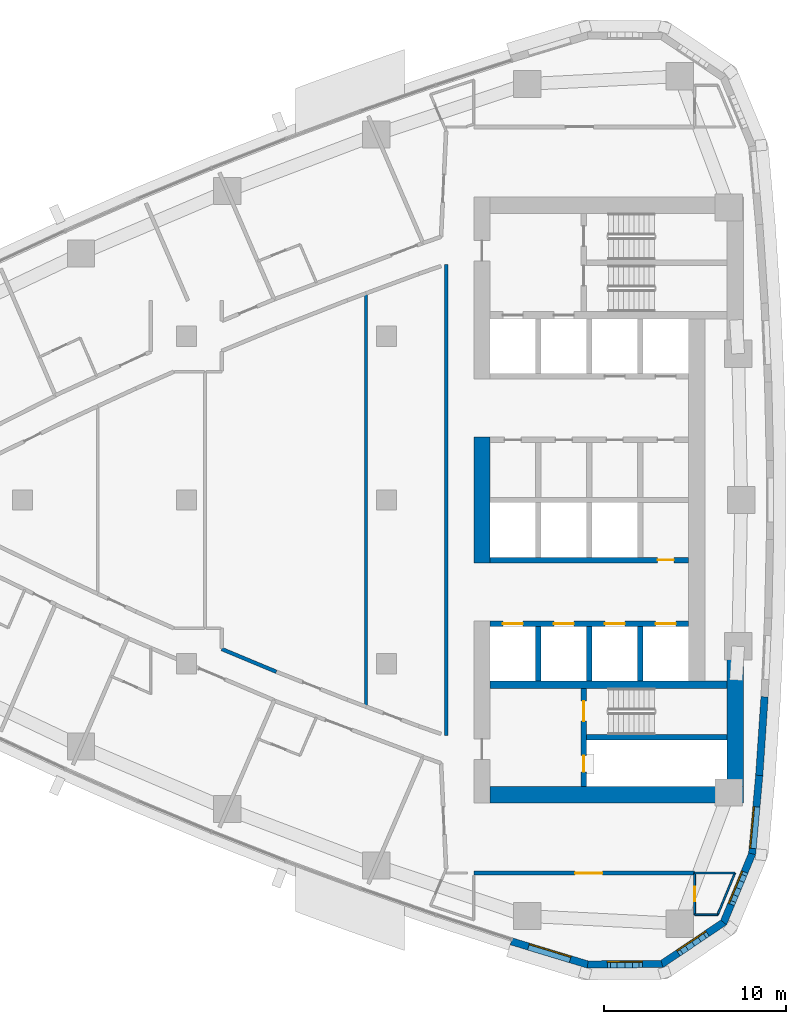
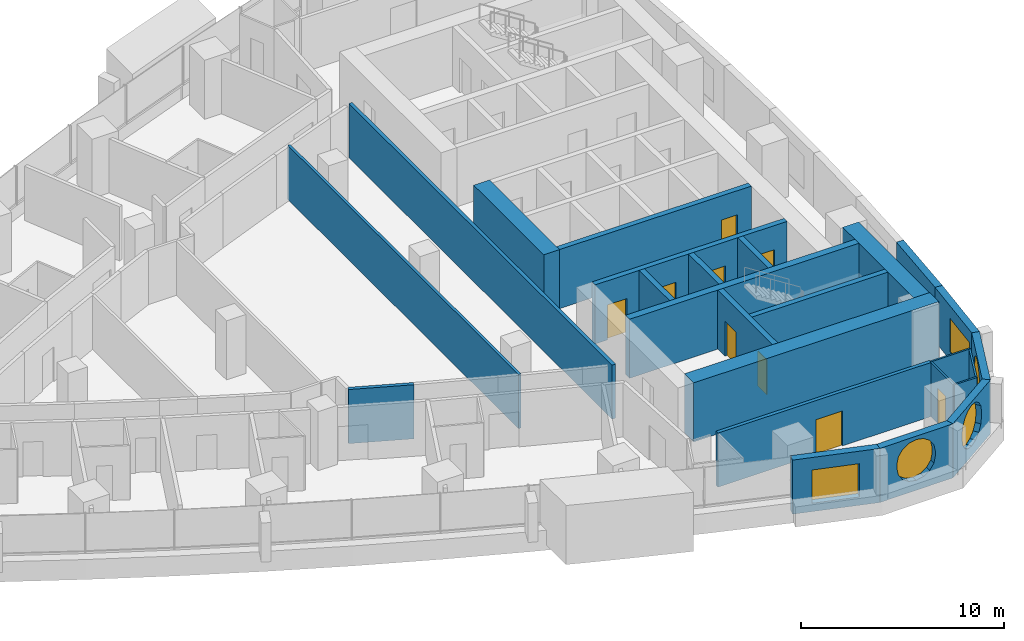
# One storey, part 10 of 17: 25 walls, 9 doors, 5 windows, 14 openings.
"""IFC4 building model written with IfcOpenShell, lengths in metres."""

from ifc_helpers import new_model, si_unit, direction, frame, frame_2d, origin, place, context, subcontext, project, spatial, polyline, rectangle, outline, extrude, material, layer, layer_set, type_object, element, fill, save


model = new_model("IFC4")

# Units and contexts
model_context = context("Model", 3, precision=1e-05, world=origin(), true_north=direction((0.0, 1.0)))
body_context = subcontext(model_context, "Body", "Model", "MODEL_VIEW")
ifc_project = project(units=[si_unit("LENGTHUNIT", "METRE"), si_unit("AREAUNIT", "SQUARE_METRE"), si_unit("VOLUMEUNIT", "CUBIC_METRE"), si_unit("PLANEANGLEUNIT", "RADIAN"), si_unit("MASSUNIT", "GRAM", prefix="KILO")], contexts=[model_context])

# Site, building, storey
site_placement = place(None, origin())
site = spatial("IfcSite", under=ifc_project, at=site_placement, CompositionType="ELEMENT")
building_placement = place(site_placement, origin())
building = spatial("IfcBuilding", under=site, at=building_placement, Name="Ostrand Prow Hotel Tower", CompositionType="ELEMENT")
storey_placement = place(building_placement, frame((0.0, 0.0, 155.050048828125)))
storey = spatial("IfcBuildingStorey", under=building, at=storey_placement, Name="L38", CompositionType="ELEMENT", Elevation=155.050048828125)

# Wall, opening, door
ifc_material_1 = material(Name="Concrete C70/85", Category="concrete")
ifc_layer_1 = layer(ifc_material_1, 0.300048828125)
ifc_layer_set_1 = layer_set([ifc_layer_1], Name="Concrete C70/85")
wall_type_1 = type_object("IfcWallType", Name="Core wall 300 C70/85", PredefinedType="SHEAR", material=ifc_layer_set_1)
wall_1_placement = place(storey_placement, frame((50.699951171875, -3.300048828125, 0.0), z_axis=(0.0, 0.0, 1.0), x_axis=(1.0, 0.0, 0.0)))
wall_1 = element("IfcWall", 1, at=wall_1_placement, inside=storey, type_object=wall_type_1, Name="Core wall PW-L1-S", PredefinedType="SHEAR", context=body_context, shape_type="SweptSolid", body=[
    extrude(rectangle(XDim=10.900146484375, YDim=0.300048828125, at=frame_2d((5.4501953125, 0.0))), origin(), (0.0, 0.0, 1.0), 3.550048828125),
])
opening_1_placement = place(wall_1_placement, frame((9.199951171875, 0.0, 0.0)))
opening_1 = element("IfcOpeningElement", 2, at=opening_1_placement, cuts=wall_1, Name="Opening FD2", PredefinedType="OPENING", context=body_context, shape_type="SweptSolid", body=[
    extrude(rectangle(XDim=0.89990234375, YDim=2.10009765625, at=frame_2d((0.449951171875, 1.050048828125))), frame((0.0, 0.159912109375, 0.0), z_axis=(0.0, -1.0, 0.0), x_axis=(1.0, 0.0, 0.0)), (0.0, 0.0, 1.0), 0.320068359375),
])
ifc_material_2 = material(Name="Steel fire door", Category="steel")
door_type_1 = type_object("IfcDoorType", Name="Fire door 900 EI120", OperationType="SINGLE_SWING_LEFT", PredefinedType="DOOR", material=ifc_material_2)
door_1_placement = place(opening_1_placement, origin())
door_1 = element("IfcDoor", 3, at=door_1_placement, inside=storey, type_object=door_type_1, Name="DOOR", OperationType="SINGLE_SWING_LEFT", OverallHeight=2.10009765625, OverallWidth=0.89990234375, PredefinedType="DOOR", context=body_context, shape_type="SweptSolid", body=[
    extrude(rectangle(XDim=0.89990234375, YDim=2.10009765625, at=frame_2d((0.449951171875, 1.050048828125))), frame((0.0, 0.02490234375, 0.0), z_axis=(0.0, -1.0, 0.0), x_axis=(1.0, 0.0, 0.0)), (0.0, 0.0, 1.0), 0.050048828125),
])
fill(opening_1, door_1)

# Wall, openings, doors
wall_2_placement = place(storey_placement, frame((50.699951171875, -6.800048828125, 0.0), z_axis=(0.0, 0.0, 1.0), x_axis=(1.0, 0.0, 0.0)))
wall_2 = element("IfcWall", 4, at=wall_2_placement, inside=storey, type_object=wall_type_1, Name="Core wall PW-L2-S", PredefinedType="SHEAR", context=body_context, shape_type="SweptSolid", body=[
    extrude(rectangle(XDim=10.900146484375, YDim=0.300048828125, at=frame_2d((5.4501953125, 0.0))), origin(), (0.0, 0.0, 1.0), 3.550048828125),
])
opening_2_placement = place(wall_2_placement, frame((0.699951171875, 0.0, 0.0)))
opening_2 = element("IfcOpeningElement", 5, at=opening_2_placement, cuts=wall_2, Name="Opening LD", PredefinedType="OPENING", context=body_context, shape_type="SweptSolid", body=[
    extrude(rectangle(XDim=1.10009765625, YDim=2.10009765625, at=frame_2d((0.550048828125, 1.050048828125))), frame((0.0, 0.159912109375, 0.0), z_axis=(0.0, -1.0, 0.0), x_axis=(1.0, 0.0, 0.0)), (0.0, 0.0, 1.0), 0.320068359375),
])
opening_3_placement = place(wall_2_placement, frame((3.5, 0.0, 0.0)))
opening_3 = element("IfcOpeningElement", 6, at=opening_3_placement, cuts=wall_2, Name="Opening LD", PredefinedType="OPENING", context=body_context, shape_type="SweptSolid", body=[
    extrude(rectangle(XDim=1.10009765625, YDim=2.10009765625, at=frame_2d((0.550048828125, 1.050048828125))), frame((0.0, 0.159912109375, 0.0), z_axis=(0.0, -1.0, 0.0), x_axis=(1.0, 0.0, 0.0)), (0.0, 0.0, 1.0), 0.320068359375),
])
opening_4_placement = place(wall_2_placement, frame((6.300048828125, 0.0, 0.0)))
opening_4 = element("IfcOpeningElement", 7, at=opening_4_placement, cuts=wall_2, Name="Opening LD", PredefinedType="OPENING", context=body_context, shape_type="SweptSolid", body=[
    extrude(rectangle(XDim=1.10009765625, YDim=2.10009765625, at=frame_2d((0.550048828125, 1.050048828125))), frame((0.0, 0.159912109375, 0.0), z_axis=(0.0, -1.0, 0.0), x_axis=(1.0, 0.0, 0.0)), (0.0, 0.0, 1.0), 0.320068359375),
])
opening_5_placement = place(wall_2_placement, frame((9.10009765625, 0.0, 0.0)))
opening_5 = element("IfcOpeningElement", 8, at=opening_5_placement, cuts=wall_2, Name="Opening LD", PredefinedType="OPENING", context=body_context, shape_type="SweptSolid", body=[
    extrude(rectangle(XDim=1.10009765625, YDim=2.10009765625, at=frame_2d((0.550048828125, 1.050048828125))), frame((0.0, 0.159912109375, 0.0), z_axis=(0.0, -1.0, 0.0), x_axis=(1.0, 0.0, 0.0)), (0.0, 0.0, 1.0), 0.320068359375),
])
ifc_material_3 = material(Name="Stainless steel door", Category="steel")
door_type_2 = type_object("IfcDoorType", Name="Lift landing door 1100", OperationType="DOUBLE_DOOR_SLIDING", PredefinedType="DOOR", material=ifc_material_3)
door_2_placement = place(opening_2_placement, origin())
door_2 = element("IfcDoor", 9, at=door_2_placement, inside=storey, type_object=door_type_2, Name="LIFT LANDING DOOR", OperationType="DOUBLE_DOOR_SLIDING", OverallHeight=2.10009765625, OverallWidth=1.10009765625, PredefinedType="DOOR", context=body_context, shape_type="SweptSolid", body=[
    extrude(rectangle(XDim=1.10009765625, YDim=2.10009765625, at=frame_2d((0.550048828125, 1.050048828125))), frame((0.0, 0.02490234375, 0.0), z_axis=(0.0, -1.0, 0.0), x_axis=(1.0, 0.0, 0.0)), (0.0, 0.0, 1.0), 0.050048828125),
])
fill(opening_2, door_2)
door_3_placement = place(opening_3_placement, origin())
door_3 = element("IfcDoor", 10, at=door_3_placement, inside=storey, type_object=door_type_2, Name="LIFT LANDING DOOR", OperationType="DOUBLE_DOOR_SLIDING", OverallHeight=2.10009765625, OverallWidth=1.10009765625, PredefinedType="DOOR", context=body_context, shape_type="SweptSolid", body=[
    extrude(rectangle(XDim=1.10009765625, YDim=2.10009765625, at=frame_2d((0.550048828125, 1.050048828125))), frame((0.0, 0.02490234375, 0.0), z_axis=(0.0, -1.0, 0.0), x_axis=(1.0, 0.0, 0.0)), (0.0, 0.0, 1.0), 0.050048828125),
])
fill(opening_3, door_3)
door_4_placement = place(opening_4_placement, origin())
door_4 = element("IfcDoor", 11, at=door_4_placement, inside=storey, type_object=door_type_2, Name="LIFT LANDING DOOR", OperationType="DOUBLE_DOOR_SLIDING", OverallHeight=2.10009765625, OverallWidth=1.10009765625, PredefinedType="DOOR", context=body_context, shape_type="SweptSolid", body=[
    extrude(rectangle(XDim=1.10009765625, YDim=2.10009765625, at=frame_2d((0.550048828125, 1.050048828125))), frame((0.0, 0.02490234375, 0.0), z_axis=(0.0, -1.0, 0.0), x_axis=(1.0, 0.0, 0.0)), (0.0, 0.0, 1.0), 0.050048828125),
])
fill(opening_4, door_4)
door_5_placement = place(opening_5_placement, origin())
door_5 = element("IfcDoor", 12, at=door_5_placement, inside=storey, type_object=door_type_2, Name="LIFT LANDING DOOR", OperationType="DOUBLE_DOOR_SLIDING", OverallHeight=2.10009765625, OverallWidth=1.10009765625, PredefinedType="DOOR", context=body_context, shape_type="SweptSolid", body=[
    extrude(rectangle(XDim=1.10009765625, YDim=2.10009765625, at=frame_2d((0.550048828125, 1.050048828125))), frame((0.0, 0.02490234375, 0.0), z_axis=(0.0, -1.0, 0.0), x_axis=(1.0, 0.0, 0.0)), (0.0, 0.0, 1.0), 0.050048828125),
])
fill(opening_5, door_5)

# Walls
for number, where, z_axis, x_axis, name in (
    (13, (53.35009765625, -9.949951171875, 0.0), (0.0, 0.0, 1.0), (0.0, 1.0, 0.0), "Core wall PW-R1-SA"),
    (14, (56.14990234375, -9.949951171875, 0.0), (0.0, 0.0, 1.0), (0.0, 1.0, 0.0), "Core wall PW-R2-SA"),
    (15, (58.949951171875, -9.949951171875, 0.0), (0.0, 0.0, 1.0), (0.0, 1.0, 0.0), "Core wall PW-R3-SA"),
):
    element("IfcWall", number, at=place(storey_placement, frame(where, z_axis=z_axis, x_axis=x_axis)), inside=storey, type_object=wall_type_1, Name=name, PredefinedType="SHEAR", context=body_context, shape_type="SweptSolid", body=[
        extrude(rectangle(XDim=3.0, YDim=0.300048828125, at=frame_2d((1.5, 0.0))), origin(), (0.0, 0.0, 1.0), 3.550048828125),
    ])

# Wall, openings, doors
wall_3_placement = place(storey_placement, frame((55.85009765625, -15.75, 0.0), z_axis=(0.0, 0.0, 1.0), x_axis=(0.0, 1.0, 0.0)))
wall_3 = element("IfcWall", 16, at=wall_3_placement, inside=storey, type_object=wall_type_1, Name="Core wall PW-VS", PredefinedType="SHEAR", context=body_context, shape_type="SweptSolid", body=[
    extrude(rectangle(XDim=5.39990234375, YDim=0.300048828125, at=frame_2d((2.699951171875, 0.0))), origin(), (0.0, 0.0, 1.0), 3.550048828125),
])
opening_6_placement = place(wall_3_placement, frame((3.60009765625, 0.0, 0.0)))
opening_6 = element("IfcOpeningElement", 17, at=opening_6_placement, cuts=wall_3, Name="Opening FD1", PredefinedType="OPENING", context=body_context, shape_type="SweptSolid", body=[
    extrude(rectangle(XDim=1.10009765625, YDim=2.10009765625, at=frame_2d((0.550048828125, 1.050048828125))), frame((0.0, 0.159912109375, 0.0), z_axis=(0.0, -1.0, 0.0), x_axis=(1.0, 0.0, 0.0)), (0.0, 0.0, 1.0), 0.320068359375),
])
opening_7_placement = place(wall_3_placement, frame((0.800048828125, 0.0, 0.0)))
opening_7 = element("IfcOpeningElement", 18, at=opening_7_placement, cuts=wall_3, Name="Opening FD2", PredefinedType="OPENING", context=body_context, shape_type="SweptSolid", body=[
    extrude(rectangle(XDim=0.89990234375, YDim=2.10009765625, at=frame_2d((0.449951171875, 1.050048828125))), frame((0.0, 0.159912109375, 0.0), z_axis=(0.0, -1.0, 0.0), x_axis=(1.0, 0.0, 0.0)), (0.0, 0.0, 1.0), 0.320068359375),
])
ifc_material_4 = material(Name="Steel fire door", Category="steel")
door_type_3 = type_object("IfcDoorType", Name="Fire door 1100 EI120", OperationType="SINGLE_SWING_RIGHT", PredefinedType="DOOR", material=ifc_material_4)
door_6_placement = place(opening_6_placement, origin())
door_6 = element("IfcDoor", 19, at=door_6_placement, inside=storey, type_object=door_type_3, Name="FIRE DOOR", OperationType="SINGLE_SWING_RIGHT", OverallHeight=2.10009765625, OverallWidth=1.10009765625, PredefinedType="DOOR", context=body_context, shape_type="SweptSolid", body=[
    extrude(rectangle(XDim=1.10009765625, YDim=2.10009765625, at=frame_2d((0.550048828125, 1.050048828125))), frame((0.0, 0.02490234375, 0.0), z_axis=(0.0, -1.0, 0.0), x_axis=(1.0, 0.0, 0.0)), (0.0, 0.0, 1.0), 0.050048828125),
])
fill(opening_6, door_6)
door_7_placement = place(opening_7_placement, origin())
door_7 = element("IfcDoor", 20, at=door_7_placement, inside=storey, type_object=door_type_1, Name="FIRE DOOR", OperationType="SINGLE_SWING_LEFT", OverallHeight=2.10009765625, OverallWidth=0.89990234375, PredefinedType="DOOR", context=body_context, shape_type="SweptSolid", body=[
    extrude(rectangle(XDim=0.89990234375, YDim=2.10009765625, at=frame_2d((0.449951171875, 1.050048828125))), frame((0.0, 0.02490234375, 0.0), z_axis=(0.0, -1.0, 0.0), x_axis=(1.0, 0.0, 0.0)), (0.0, 0.0, 1.0), 0.050048828125),
])
fill(opening_7, door_7)

# Walls
wall_4_placement = place(storey_placement, frame((56.0, -13.050048828125, 0.0), z_axis=(0.0, 0.0, 1.0), x_axis=(1.0, 0.0, 0.0)))
element("IfcWall", 21, at=wall_4_placement, inside=storey, type_object=wall_type_1, Name="Core wall PW-ST2R", PredefinedType="SHEAR", context=body_context, shape_type="SweptSolid", body=[
    extrude(rectangle(XDim=7.719970703125, YDim=0.300048828125, at=frame_2d((3.85986328125, 0.0))), origin(), (0.0, 0.0, 1.0), 3.550048828125),
])
ifc_material_5 = material(Name="Concrete C70/85", Category="concrete")
ifc_layer_2 = layer(ifc_material_5, 0.39990234375)
ifc_layer_set_2 = layer_set([ifc_layer_2], Name="Concrete C70/85")
wall_type_2 = type_object("IfcWallType", Name="Core wall 400 C70/85", PredefinedType="SHEAR", material=ifc_layer_set_2)
wall_5_placement = place(storey_placement, frame((50.699951171875, -10.14990234375, 0.0), z_axis=(0.0, 0.0, 1.0), x_axis=(1.0, 0.0, 0.0)))
element("IfcWall", 22, at=wall_5_placement, inside=storey, type_object=wall_type_2, Name="Core wall PW-BS", PredefinedType="SHEAR", context=body_context, shape_type="SweptSolid", body=[
    extrude(rectangle(XDim=13.02001953125, YDim=0.39990234375, at=frame_2d((6.510009765625, 0.0))), origin(), (0.0, 0.0, 1.0), 3.550048828125),
])
ifc_material_6 = material(Name="Concrete C70/85", Category="concrete")
ifc_layer_3 = layer(ifc_material_6, 0.89990234375)
ifc_layer_set_3 = layer_set([ifc_layer_3], Name="Concrete C70/85")
wall_type_3 = type_object("IfcWallType", Name="Core wall 900 C70/85", PredefinedType="SHEAR", material=ifc_layer_set_3)
wall_6_placement = place(storey_placement, frame((50.25, -3.449951171875, 0.0), z_axis=(0.0, 0.0, 1.0), x_axis=(0.0, 1.0, 0.0)))
element("IfcWall", 23, at=wall_6_placement, inside=storey, type_object=wall_type_3, Name="Core wall CW-W-C", PredefinedType="SHEAR", context=body_context, shape_type="SweptSolid", body=[
    extrude(rectangle(XDim=6.89990234375, YDim=0.89990234375, at=frame_2d((3.449951171875, 0.0))), origin(), (0.0, 0.0, 1.0), 3.550048828125),
])
wall_7_placement = place(storey_placement, frame((50.699951171875, -16.199951171875, 0.0), z_axis=(0.0, 0.0, 1.0), x_axis=(1.0, 0.0, 0.0)))
element("IfcWall", 24, at=wall_7_placement, inside=storey, type_object=wall_type_3, Name="Core wall CW-S", PredefinedType="SHEAR", context=body_context, shape_type="SweptSolid", body=[
    extrude(rectangle(XDim=13.920166015625, YDim=0.89990234375, at=frame_2d((6.9599609375, 0.0))), origin(), (0.0, 0.0, 1.0), 3.550048828125),
])
wall_8_placement = place(storey_placement, frame((64.169921875, -15.75, 0.0), z_axis=(0.0, 0.0, 1.0), x_axis=(0.0, 1.0, 0.0)))
element("IfcWall", 25, at=wall_8_placement, inside=storey, type_object=wall_type_3, Name="Core wall CW-E-S", PredefinedType="SHEAR", context=body_context, shape_type="SweptSolid", body=[
    extrude(rectangle(XDim=7.00537109375, YDim=0.89990234375, at=frame_2d((3.502685546875, 0.0))), origin(), (0.0, 0.0, 1.0), 3.550048828125),
])

# Wall, opening, door
ifc_material_7 = material(Name="Plasterboard partition")
ifc_layer_4 = layer(ifc_material_7, 0.10009765625)
ifc_layer_set_4 = layer_set([ifc_layer_4], Name="Plasterboard partition")
wall_type_4 = type_object("IfcWallType", Name="Partition 100 bathroom wall", PredefinedType="PARTITIONING", material=ifc_layer_set_4)
wall_9_placement = place(storey_placement, frame((61.9375, -22.800048828125, 0.0), z_axis=(0.0, 0.0, 1.0), x_axis=(0.0, 1.0, 0.0)))
wall_9 = element("IfcWall", 26, at=wall_9_placement, inside=storey, type_object=wall_type_4, Name="BATHROOM WALL", PredefinedType="PARTITIONING", context=body_context, shape_type="SweptSolid", body=[
    extrude(rectangle(XDim=2.300048828125, YDim=0.10009765625, at=frame_2d((1.14990234375, 0.0))), origin(), (0.0, 0.0, 1.0), 3.25),
])
opening_8_placement = place(wall_9_placement, frame((0.75, 0.0, 0.0)))
opening_8 = element("IfcOpeningElement", 27, at=opening_8_placement, cuts=wall_9, Name="Opening D2", PredefinedType="OPENING", context=body_context, shape_type="SweptSolid", body=[
    extrude(rectangle(XDim=0.800048828125, YDim=2.10009765625, at=frame_2d((0.39990234375, 1.050048828125))), frame((0.0, 0.06005859375, 0.0), z_axis=(0.0, -1.0, 0.0), x_axis=(1.0, 0.0, 0.0)), (0.0, 0.0, 1.0), 0.1201171875),
])
ifc_material_8 = material(Name="Timber door leaf", Category="wood")
door_type_4 = type_object("IfcDoorType", Name="Bathroom door 800", OperationType="SINGLE_SWING_LEFT", PredefinedType="DOOR", material=ifc_material_8)
door_8_placement = place(opening_8_placement, origin())
door_8 = element("IfcDoor", 28, at=door_8_placement, inside=storey, type_object=door_type_4, Name="DOOR", OperationType="SINGLE_SWING_LEFT", OverallHeight=2.10009765625, OverallWidth=0.800048828125, PredefinedType="DOOR", context=body_context, shape_type="SweptSolid", body=[
    extrude(rectangle(XDim=0.800048828125, YDim=2.10009765625, at=frame_2d((0.39990234375, 1.050048828125))), frame((0.0, 0.02490234375, 0.0), z_axis=(0.0, -1.0, 0.0), x_axis=(1.0, 0.0, 0.0)), (0.0, 0.0, 1.0), 0.050048828125),
])
fill(opening_8, door_8)

# Walls
wall_10_placement = place(storey_placement, frame((63.1982421875, -22.800048828125, 0.0), z_axis=(0.0, 0.0, 1.0), x_axis=(-1.0, 0.0, 0.0)))
element("IfcWall", 29, at=wall_10_placement, inside=storey, type_object=wall_type_4, Name="BATHROOM WALL", PredefinedType="PARTITIONING", context=body_context, shape_type="SweptSolid", body=[
    extrude(rectangle(XDim=1.2607421875, YDim=0.10009765625, at=frame_2d((0.63037109375, 0.0))), origin(), (0.0, 0.0, 1.0), 3.25),
])
wall_11_placement = place(storey_placement, frame((61.9375, -20.5048828125, 0.0), z_axis=(0.0, 0.0, 1.0), x_axis=(1.0, 0.0, 0.0)))
element("IfcWall", 30, at=wall_11_placement, inside=storey, type_object=wall_type_4, Name="BATHROOM WALL", PredefinedType="PARTITIONING", context=body_context, shape_type="SweptSolid", body=[
    extrude(rectangle(XDim=2.21484375, YDim=0.10009765625, at=frame_2d((1.107421875, 0.0))), origin(), (0.0, 0.0, 1.0), 3.25),
])
wall_12_placement = place(storey_placement, frame((64.15234375, -20.5048828125, 0.0), z_axis=(0.0, 0.0, 1.0), x_axis=(-0.383855043906, -0.923393364319, 0.0)))
element("IfcWall", 31, at=wall_12_placement, inside=storey, type_object=wall_type_4, Name="BATHROOM WALL", PredefinedType="PARTITIONING", context=body_context, shape_type="SweptSolid", body=[
    extrude(rectangle(XDim=2.485595703125, YDim=0.10009765625, at=frame_2d((1.24267578125, 0.0))), origin(), (0.0, 0.0, 1.0), 3.25),
])
ifc_material_9 = material(Name="Plasterboard partition")
ifc_layer_5 = layer(ifc_material_9, 0.14990234375)
ifc_layer_set_5 = layer_set([ifc_layer_5], Name="Plasterboard partition")
wall_type_5 = type_object("IfcWallType", Name="Partition 150 room partition", PredefinedType="PARTITIONING", material=ifc_layer_set_5)
wall_13_placement = place(storey_placement, frame((43.877197265625, -11.3583984375, 0.0), z_axis=(0.0, 0.0, 1.0), x_axis=(0.0, 1.0, 0.0)))
element("IfcWall", 32, at=wall_13_placement, inside=storey, type_object=wall_type_5, Name="ROOM PARTITION", PredefinedType="PARTITIONING", context=body_context, shape_type="SweptSolid", body=[
    extrude(rectangle(XDim=22.716796875, YDim=0.14990234375, at=frame_2d((11.3583984375, 0.0))), origin(), (0.0, 0.0, 1.0), 3.25),
])
ifc_material_10 = material(Name="Plasterboard partition")
ifc_layer_6 = layer(ifc_material_10, 0.199951171875)
ifc_layer_set_6 = layer_set([ifc_layer_6], Name="Plasterboard partition")
wall_type_6 = type_object("IfcWallType", Name="Partition 200 corridor wall", PredefinedType="PARTITIONING", material=ifc_layer_set_6)
wall_14_placement = place(storey_placement, frame((38.943115234375, -9.44091796875, 0.0), z_axis=(0.0, 0.0, 1.0), x_axis=(-0.923005630596, 0.384786441923, 0.0)))
element("IfcWall", 33, at=wall_14_placement, inside=storey, type_object=wall_type_6, Name="CORRIDOR WALL", PredefinedType="PARTITIONING", context=body_context, shape_type="SweptSolid", body=[
    extrude(rectangle(XDim=3.242919921875, YDim=0.199951171875, at=frame_2d((1.62158203125, 0.0))), origin(), (0.0, 0.0, 1.0), 3.25),
])

# Wall, opening, door
wall_15_placement = place(storey_placement, frame((49.800048828125, -20.5048828125, 0.0), z_axis=(0.0, 0.0, 1.0), x_axis=(1.0, 0.0, 0.0)))
wall_15 = element("IfcWall", 34, at=wall_15_placement, inside=storey, type_object=wall_type_6, Name="CORRIDOR WALL", PredefinedType="PARTITIONING", context=body_context, shape_type="SweptSolid", body=[
    extrude(rectangle(XDim=12.132568359375, YDim=0.199951171875, at=frame_2d((6.06640625, 0.0))), origin(), (0.0, 0.0, 1.0), 3.25),
])
opening_9_placement = place(wall_15_placement, frame((5.56640625, 0.0, 0.0)))
opening_9 = element("IfcOpeningElement", 35, at=opening_9_placement, cuts=wall_15, Name="Opening D15", PredefinedType="OPENING", context=body_context, shape_type="SweptSolid", body=[
    extrude(rectangle(XDim=1.5, YDim=2.10009765625, at=frame_2d((0.75, 1.050048828125))), frame((0.0, 0.10986328125, 0.0), z_axis=(0.0, -1.0, 0.0), x_axis=(1.0, 0.0, 0.0)), (0.0, 0.0, 1.0), 0.219970703125),
])
ifc_material_11 = material(Name="Timber door leaf", Category="wood")
door_type_5 = type_object("IfcDoorType", Name="Double door 1500", OperationType="DOUBLE_DOOR_SINGLE_SWING", PredefinedType="DOOR", material=ifc_material_11)
door_9_placement = place(opening_9_placement, origin())
door_9 = element("IfcDoor", 36, at=door_9_placement, inside=storey, type_object=door_type_5, Name="DOOR", OperationType="DOUBLE_DOOR_SINGLE_SWING", OverallHeight=2.10009765625, OverallWidth=1.5, PredefinedType="DOOR", context=body_context, shape_type="SweptSolid", body=[
    extrude(rectangle(XDim=1.5, YDim=2.10009765625, at=frame_2d((0.75, 1.050048828125))), frame((0.0, 0.02490234375, 0.0), z_axis=(0.0, -1.0, 0.0), x_axis=(1.0, 0.0, 0.0)), (0.0, 0.0, 1.0), 0.050048828125),
])
fill(opening_9, door_9)

# Wall
wall_16_placement = place(storey_placement, frame((48.294921875, 12.955078125, 0.0), z_axis=(0.0, 0.0, 1.0), x_axis=(0.0, -1.0, 0.0)))
element("IfcWall", 37, at=wall_16_placement, inside=storey, type_object=wall_type_6, Name="CORRIDOR WALL", PredefinedType="PARTITIONING", context=body_context, shape_type="SweptSolid", body=[
    extrude(rectangle(XDim=25.91015625, YDim=0.199951171875, at=frame_2d((12.955078125, 0.0))), origin(), (0.0, 0.0, 1.0), 3.25),
])

# Wall, opening, window
ifc_material_12 = material(Name="Precast concrete C40/50", Category="concrete")
ifc_layer_7 = layer(ifc_material_12, 0.39990234375)
ifc_layer_set_7 = layer_set([ifc_layer_7], Name="Precast concrete C40/50")
wall_type_7 = type_object("IfcWallType", Name="Stone-faced precast wall 400 mm", PredefinedType="NOTDEFINED", material=ifc_layer_set_7)
wall_17_placement = place(storey_placement, frame((51.85888671875, -24.257080078125, 0.0), z_axis=(0.0, 0.0, 1.0), x_axis=(0.956964488344, -0.290205044837, 0.0)))
wall_17 = element("IfcWall", 38, at=wall_17_placement, inside=storey, type_object=wall_type_7, Name="Stone-faced wall back 1", PredefinedType="NOTDEFINED", context=body_context, shape_type="SweptSolid", body=[
    extrude(outline(polyline([(0.0, -0.199951171875), (4.41845703125, -0.199951171875), (4.357421875, 0.199951171875), (0.0, 0.199951171875), (0.0, -0.199951171875)])), origin(), (0.0, 0.0, 1.0), 3.25),
])
opening_10_placement = place(wall_17_placement, frame((0.993896484375, 0.0, 0.5)))
opening_10 = element("IfcOpeningElement", 39, at=opening_10_placement, cuts=wall_17, Name="Opening WA1", PredefinedType="OPENING", context=body_context, shape_type="SweptSolid", body=[
    extrude(rectangle(XDim=2.39990234375, YDim=2.0, at=frame_2d((1.199951171875, 1.0))), frame((0.0, 0.2099609375, 0.0), z_axis=(0.0, -1.0, 0.0), x_axis=(1.0, 0.0, 0.0)), (0.0, 0.0, 1.0), 0.419921875),
])
ifc_material_13 = material(Name="Insulated glass in bronze frame", Category="glass")
window_type_1 = type_object("IfcWindowType", Name="Amenity picture window 2400x2000", PartitioningType="SINGLE_PANEL", PredefinedType="WINDOW", material=ifc_material_13)
window_1_placement = place(opening_10_placement, origin())
window_1 = element("IfcWindow", 40, at=window_1_placement, inside=storey, type_object=window_type_1, Name="Window back 1.1", OverallHeight=2.0, OverallWidth=2.39990234375, PartitioningType="SINGLE_PANEL", PredefinedType="WINDOW", context=body_context, shape_type="SweptSolid", body=[
    extrude(rectangle(XDim=2.39990234375, YDim=2.0, at=frame_2d((1.199951171875, 1.0))), frame((0.0, 0.169921875, 0.0), z_axis=(0.0, -1.0, 0.0), x_axis=(1.0, 0.0, 0.0)), (0.0, 0.0, 1.0), 0.06005859375),
])
fill(opening_10, window_1)

wall_18_placement = place(storey_placement, frame((56.05810546875, -25.530517578125, 0.0), z_axis=(0.0, 0.0, 1.0), x_axis=(0.99996933771, 0.007830941131, 0.0)))
wall_18 = element("IfcWall", 41, at=wall_18_placement, inside=storey, type_object=wall_type_7, Name="Stone-faced wall back 2", PredefinedType="NOTDEFINED", context=body_context, shape_type="SweptSolid", body=[
    extrude(outline(polyline([(-0.030517578125, -0.199951171875), (4.14453125, -0.199951171875), (4.02392578125, 0.199951171875), (0.030517578125, 0.199951171875), (-0.030517578125, -0.199951171875)])), origin(), (0.0, 0.0, 1.0), 3.25),
])
opening_11_placement = place(wall_18_placement, frame((0.94189453125, 0.0, 0.60009765625)))
opening_11 = element("IfcOpeningElement", 42, at=opening_11_placement, cuts=wall_18, Name="Opening WP2", PredefinedType="OPENING", context=body_context, shape_type="SweptSolid", body=[
    extrude(outline(polyline([(0.0, 1.35009765625), (0.083740234375, 1.77099609375), (0.322265625, 2.127685546875), (0.678955078125, 2.3662109375), (1.10009765625, 2.449951171875), (1.52099609375, 2.3662109375), (1.877685546875, 2.127685546875), (2.1162109375, 1.77099609375), (2.199951171875, 1.35009765625), (2.199951171875, 1.10009765625), (2.1162109375, 0.678955078125), (1.877685546875, 0.322265625), (1.52099609375, 0.083740234375), (1.10009765625, 0.0), (0.678955078125, 0.083740234375), (0.322265625, 0.322265625), (0.083740234375, 0.678955078125), (0.0, 1.099853515625), (0.0, 1.35009765625)])), frame((0.0, 0.2099609375, 0.0), z_axis=(0.0, -1.0, 0.0), x_axis=(1.0, 0.0, 0.0)), (0.0, 0.0, 1.0), 0.419921875),
])
ifc_material_14 = material(Name="Insulated glass in bronze frame", Category="glass")
window_type_2 = type_object("IfcWindowType", Name="Round-ended prow lounge window 2200x2450", PartitioningType="SINGLE_PANEL", PredefinedType="WINDOW", material=ifc_material_14)
window_2_placement = place(opening_11_placement, origin())
window_2 = element("IfcWindow", 43, at=window_2_placement, inside=storey, type_object=window_type_2, Name="Window back 2.1", OverallHeight=2.449951171875, OverallWidth=2.199951171875, PartitioningType="SINGLE_PANEL", PredefinedType="WINDOW", context=body_context, shape_type="SweptSolid", body=[
    extrude(outline(polyline([(0.0, 1.35009765625), (0.083740234375, 1.77099609375), (0.322265625, 2.127685546875), (0.678955078125, 2.3662109375), (1.10009765625, 2.449951171875), (1.52099609375, 2.3662109375), (1.877685546875, 2.127685546875), (2.1162109375, 1.77099609375), (2.199951171875, 1.35009765625), (2.199951171875, 1.10009765625), (2.1162109375, 0.678955078125), (1.877685546875, 0.322265625), (1.52099609375, 0.083740234375), (1.10009765625, 0.0), (0.678955078125, 0.083740234375), (0.322265625, 0.322265625), (0.083740234375, 0.678955078125), (0.0, 1.099853515625), (0.0, 1.35009765625)])), frame((0.0, 0.169921875, 0.0), z_axis=(0.0, -1.0, 0.0), x_axis=(1.0, 0.0, 0.0)), (0.0, 0.0, 1.0), 0.06005859375),
])
fill(opening_11, window_2)

wall_19_placement = place(storey_placement, frame((60.14208984375, -25.49853515625, 0.0), z_axis=(0.0, 0.0, 1.0), x_axis=(0.829642062482, 0.558295663749, 0.0)))
wall_19 = element("IfcWall", 44, at=wall_19_placement, inside=storey, type_object=wall_type_7, Name="Stone-faced wall back 3", PredefinedType="NOTDEFINED", context=body_context, shape_type="SweptSolid", body=[
    extrude(outline(polyline([(-0.060302734375, -0.199951171875), (4.144287109375, -0.199951171875), (4.023681640625, 0.199951171875), (0.060302734375, 0.199951171875), (-0.060302734375, -0.199951171875)])), origin(), (0.0, 0.0, 1.0), 3.25),
])
opening_12_placement = place(wall_19_placement, frame((0.94189453125, 0.0, 0.60009765625)))
opening_12 = element("IfcOpeningElement", 45, at=opening_12_placement, cuts=wall_19, Name="Opening WP2", PredefinedType="OPENING", context=body_context, shape_type="SweptSolid", body=[
    extrude(outline(polyline([(0.0, 1.35009765625), (0.083740234375, 1.77099609375), (0.322265625, 2.127685546875), (0.678955078125, 2.3662109375), (1.10009765625, 2.449951171875), (1.52099609375, 2.3662109375), (1.877685546875, 2.127685546875), (2.1162109375, 1.77099609375), (2.199951171875, 1.35009765625), (2.199951171875, 1.10009765625), (2.1162109375, 0.678955078125), (1.877685546875, 0.322265625), (1.52099609375, 0.083740234375), (1.10009765625, 0.0), (0.678955078125, 0.083740234375), (0.322265625, 0.322265625), (0.083740234375, 0.678955078125), (0.0, 1.099853515625), (0.0, 1.35009765625)])), frame((0.0, 0.2099609375, 0.0), z_axis=(0.0, -1.0, 0.0), x_axis=(1.0, 0.0, 0.0)), (0.0, 0.0, 1.0), 0.419921875),
])
window_3_placement = place(opening_12_placement, origin())
window_3 = element("IfcWindow", 46, at=window_3_placement, inside=storey, type_object=window_type_2, Name="Window back 3.1", OverallHeight=2.449951171875, OverallWidth=2.199951171875, PartitioningType="SINGLE_PANEL", PredefinedType="WINDOW", context=body_context, shape_type="SweptSolid", body=[
    extrude(outline(polyline([(0.0, 1.35009765625), (0.083740234375, 1.77099609375), (0.322265625, 2.127685546875), (0.678955078125, 2.3662109375), (1.10009765625, 2.449951171875), (1.52099609375, 2.3662109375), (1.877685546875, 2.127685546875), (2.1162109375, 1.77099609375), (2.199951171875, 1.35009765625), (2.199951171875, 1.10009765625), (2.1162109375, 0.678955078125), (1.877685546875, 0.322265625), (1.52099609375, 0.083740234375), (1.10009765625, 0.0), (0.678955078125, 0.083740234375), (0.322265625, 0.322265625), (0.083740234375, 0.678955078125), (0.0, 1.099853515625), (0.0, 1.35009765625)])), frame((0.0, 0.169921875, 0.0), z_axis=(0.0, -1.0, 0.0), x_axis=(1.0, 0.0, 0.0)), (0.0, 0.0, 1.0), 0.06005859375),
])
fill(opening_12, window_3)

wall_20_placement = place(storey_placement, frame((63.5302734375, -23.218505859375, 0.0), z_axis=(0.0, 0.0, 1.0), x_axis=(0.383817293519, 0.923409056267, 0.0)))
wall_20 = element("IfcWall", 47, at=wall_20_placement, inside=storey, type_object=wall_type_7, Name="Stone-faced wall back 4", PredefinedType="NOTDEFINED", context=body_context, shape_type="SweptSolid", body=[
    extrude(outline(polyline([(-0.060302734375, -0.199951171875), (4.11474609375, -0.199951171875), (4.0537109375, 0.199951171875), (0.060302734375, 0.199951171875), (-0.060302734375, -0.199951171875)])), origin(), (0.0, 0.0, 1.0), 3.25),
])
opening_13_placement = place(wall_20_placement, frame((0.94189453125, 0.0, 0.60009765625)))
opening_13 = element("IfcOpeningElement", 48, at=opening_13_placement, cuts=wall_20, Name="Opening WP2", PredefinedType="OPENING", context=body_context, shape_type="SweptSolid", body=[
    extrude(outline(polyline([(0.0, 1.35009765625), (0.083740234375, 1.77099609375), (0.322265625, 2.127685546875), (0.678955078125, 2.3662109375), (1.10009765625, 2.449951171875), (1.52099609375, 2.3662109375), (1.877685546875, 2.127685546875), (2.1162109375, 1.77099609375), (2.199951171875, 1.35009765625), (2.199951171875, 1.10009765625), (2.1162109375, 0.678955078125), (1.877685546875, 0.322265625), (1.52099609375, 0.083740234375), (1.10009765625, 0.0), (0.678955078125, 0.083740234375), (0.322265625, 0.322265625), (0.083740234375, 0.678955078125), (0.0, 1.099853515625), (0.0, 1.35009765625)])), frame((0.0, 0.2099609375, 0.0), z_axis=(0.0, -1.0, 0.0), x_axis=(1.0, 0.0, 0.0)), (0.0, 0.0, 1.0), 0.419921875),
])
window_4_placement = place(opening_13_placement, origin())
window_4 = element("IfcWindow", 49, at=window_4_placement, inside=storey, type_object=window_type_2, Name="Window back 4.1", OverallHeight=2.449951171875, OverallWidth=2.199951171875, PartitioningType="SINGLE_PANEL", PredefinedType="WINDOW", context=body_context, shape_type="SweptSolid", body=[
    extrude(outline(polyline([(0.0, 1.35009765625), (0.083740234375, 1.77099609375), (0.322265625, 2.127685546875), (0.678955078125, 2.3662109375), (1.10009765625, 2.449951171875), (1.52099609375, 2.3662109375), (1.877685546875, 2.127685546875), (2.1162109375, 1.77099609375), (2.199951171875, 1.35009765625), (2.199951171875, 1.10009765625), (2.1162109375, 0.678955078125), (1.877685546875, 0.322265625), (1.52099609375, 0.083740234375), (1.10009765625, 0.0), (0.678955078125, 0.083740234375), (0.322265625, 0.322265625), (0.083740234375, 0.678955078125), (0.0, 1.099853515625), (0.0, 1.35009765625)])), frame((0.0, 0.169921875, 0.0), z_axis=(0.0, -1.0, 0.0), x_axis=(1.0, 0.0, 0.0)), (0.0, 0.0, 1.0), 0.06005859375),
])
fill(opening_13, window_4)

wall_21_placement = place(storey_placement, frame((65.097900390625, -19.447021484375, 0.0), z_axis=(0.0, 0.0, 1.0), x_axis=(0.090296735989, 0.995914905737, 0.0)))
wall_21 = element("IfcWall", 50, at=wall_21_placement, inside=storey, type_object=wall_type_7, Name="Stone-faced wall back 5", PredefinedType="NOTDEFINED", context=body_context, shape_type="SweptSolid", body=[
    extrude(outline(polyline([(-0.030517578125, -0.199951171875), (4.330810546875, -0.199951171875), (4.326416015625, 0.199951171875), (0.030517578125, 0.199951171875), (-0.030517578125, -0.199951171875)])), origin(), (0.0, 0.0, 1.0), 3.25),
])
opening_14_placement = place(wall_21_placement, frame((0.29296875, 0.0, 0.5)))
opening_14 = element("IfcOpeningElement", 51, at=opening_14_placement, cuts=wall_21, Name="Opening WA1-23", PredefinedType="OPENING", context=body_context, shape_type="SweptSolid", body=[
    extrude(rectangle(XDim=2.300048828125, YDim=2.0, at=frame_2d((1.14990234375, 1.0))), frame((0.0, 0.2099609375, 0.0), z_axis=(0.0, -1.0, 0.0), x_axis=(1.0, 0.0, 0.0)), (0.0, 0.0, 1.0), 0.419921875),
])
ifc_material_15 = material(Name="Insulated glass in bronze frame", Category="glass")
window_type_3 = type_object("IfcWindowType", Name="Amenity picture window 2300x2000", PartitioningType="SINGLE_PANEL", PredefinedType="WINDOW", material=ifc_material_15)
window_5_placement = place(opening_14_placement, origin())
window_5 = element("IfcWindow", 52, at=window_5_placement, inside=storey, type_object=window_type_3, Name="Window back 5.1", OverallHeight=2.0, OverallWidth=2.300048828125, PartitioningType="SINGLE_PANEL", PredefinedType="WINDOW", context=body_context, shape_type="SweptSolid", body=[
    extrude(rectangle(XDim=2.300048828125, YDim=2.0, at=frame_2d((1.14990234375, 1.0))), frame((0.0, 0.169921875, 0.0), z_axis=(0.0, -1.0, 0.0), x_axis=(1.0, 0.0, 0.0)), (0.0, 0.0, 1.0), 0.06005859375),
])
fill(opening_14, window_5)

# Wall
wall_22_placement = place(storey_placement, frame((65.48876953125, -15.135986328125, 0.0), z_axis=(0.0, 0.0, 1.0), x_axis=(0.067731727279, 0.997703569764, 0.0)))
element("IfcWall", 53, at=wall_22_placement, inside=storey, type_object=wall_type_7, Name="Stone-faced wall back 6", PredefinedType="NOTDEFINED", context=body_context, shape_type="SweptSolid", body=[
    extrude(outline(polyline([(-0.002197265625, -0.199951171875), (4.331298828125, -0.199951171875), (4.326904296875, 0.199951171875), (0.002197265625, 0.199951171875), (-0.002197265625, -0.199951171875)])), origin(), (0.0, 0.0, 1.0), 3.25),
])

save(model, "model.ifc")
